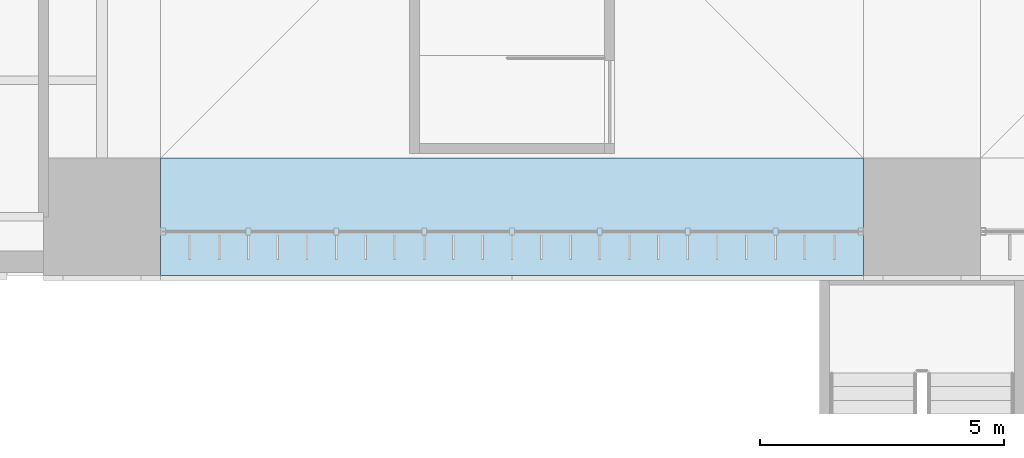
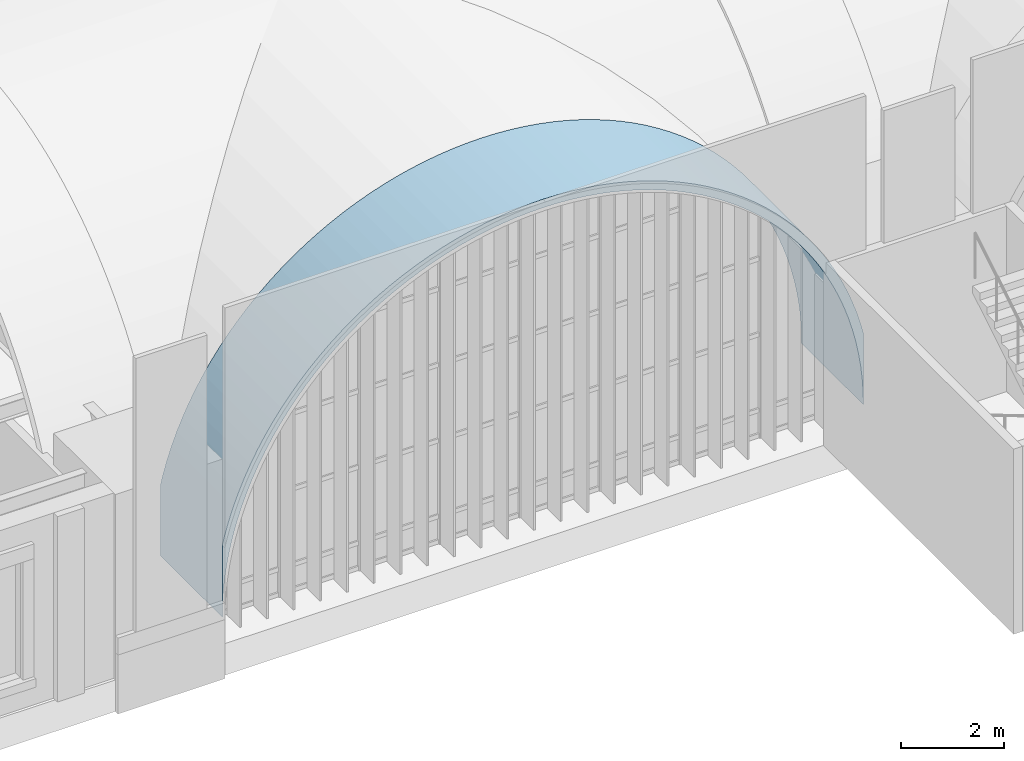
# One storey, part 111 of 169: 1 roof.
"""IFC4 building model written with IfcOpenShell, lengths in metres."""

from ifc_helpers import new_model, si_unit, direction, frame, origin, place, context, subcontext, project, spatial, polygons, material, layer, layer_set, type_object, element, save


model = new_model("IFC4")

# Units and contexts
model_context = context("Model", 3, precision=1e-05, world=origin(), true_north=direction((0.0, 1.0)))
body_context = subcontext(model_context, "Body", "Model", "MODEL_VIEW")
ifc_project = project(units=[si_unit("LENGTHUNIT", "METRE"), si_unit("AREAUNIT", "SQUARE_METRE"), si_unit("VOLUMEUNIT", "CUBIC_METRE"), si_unit("PLANEANGLEUNIT", "RADIAN"), si_unit("MASSUNIT", "GRAM", prefix="KILO")], contexts=[model_context])

# Site, building, storey
site_placement = place(None, origin())
site = spatial("IfcSite", under=ifc_project, at=site_placement, CompositionType="ELEMENT")
building_placement = place(site_placement, origin())
building = spatial("IfcBuilding", under=site, at=building_placement, Name="Verrick Yard Athletic Hall", CompositionType="ELEMENT")
storey_placement = place(building_placement, frame((0.0, 0.0, 4.39990234375)))
storey = spatial("IfcBuildingStorey", under=building, at=storey_placement, Name="L01", CompositionType="ELEMENT", Elevation=4.39990234375)

# Roof
ifc_material = material(Name="Concrete 35 MPa", Category="concrete")
ifc_layer = layer(ifc_material, 0.199951171875)
ifc_layer_set = layer_set([ifc_layer], Name="Arch rib 200")
roof_type = type_object("IfcRoofType", Name="Arch rib 200", PredefinedType="BARREL_ROOF", material=ifc_layer_set)
roof_placement = place(storey_placement, origin())
element("IfcRoof", 1, at=roof_placement, inside=storey, type_object=roof_type, Name="Vault rib S1", PredefinedType="BARREL_ROOF", context=body_context, shape_type="Tessellation", body=[
    polygons([(41.199951171875, 18.0, 2.352294921875), (41.199951171875, 18.0, 0.650146484375), (41.206787109375, 18.0, 0.964111328125), (41.227294921875, 18.0, 1.277587890625), (41.26171875, 18.0, 1.58984375), (41.309326171875, 18.0, 1.900390625), (41.37060546875, 18.0, 2.20849609375), (41.4453125, 18.0, 2.513671875), (41.533203125, 18.0, 2.815185546875), (41.63427734375, 18.0, 3.112548828125), (41.748046875, 18.0, 3.405517578125), (41.87451171875, 18.0, 3.693115234375), (42.013427734375, 18.0, 3.974609375), (42.16455078125, 18.0, 4.25), (42.32763671875, 18.0, 4.518798828125), (42.502197265625, 18.0, 4.77978515625), (42.68798828125, 18.0, 5.033203125), (42.884521484375, 18.0, 5.278076171875), (43.091552734375, 18.0, 5.514404296875), (43.308837890625, 18.0, 5.7412109375), (43.535888671875, 18.0, 5.95849609375), (43.77197265625, 18.0, 6.16552734375), (44.016845703125, 18.0, 6.3623046875), (44.270263671875, 18.0, 6.548095703125), (44.531494140625, 18.0, 6.722412109375), (44.800048828125, 18.0, 6.885498046875), (45.075439453125, 18.0, 7.03662109375), (45.357177734375, 18.0, 7.175537109375), (45.644775390625, 18.0, 7.302001953125), (45.9375, 18.0, 7.416015625), (46.23486328125, 18.0, 7.516845703125), (46.53662109375, 18.0, 7.604736328125), (46.841552734375, 18.0, 7.679443359375), (47.149658203125, 18.0, 7.74072265625), (47.460205078125, 18.0, 7.78857421875), (47.7724609375, 18.0, 7.82275390625), (48.0859375, 18.0, 7.84326171875), (48.39990234375, 18.0, 7.85009765625), (48.714111328125, 18.0, 7.84326171875), (49.027587890625, 18.0, 7.82275390625), (49.33984375, 18.0, 7.78857421875), (49.650390625, 18.0, 7.74072265625), (49.95849609375, 18.0, 7.679443359375), (50.263427734375, 18.0, 7.604736328125), (50.565185546875, 18.0, 7.516845703125), (50.862548828125, 18.0, 7.416015625), (51.1552734375, 18.0, 7.302001953125), (51.44287109375, 18.0, 7.175537109375), (51.724609375, 18.0, 7.03662109375), (52.0, 18.0, 6.885498046875), (52.2685546875, 18.0, 6.722412109375), (52.52978515625, 18.0, 6.548095703125), (52.783203125, 18.0, 6.3623046875), (53.028076171875, 18.0, 6.16552734375), (53.26416015625, 18.0, 5.95849609375), (53.4912109375, 18.0, 5.7412109375), (53.70849609375, 18.0, 5.514404296875), (53.91552734375, 18.0, 5.278076171875), (54.112060546875, 18.0, 5.033203125), (54.2978515625, 18.0, 4.77978515625), (54.472412109375, 18.0, 4.518798828125), (54.635498046875, 18.0, 4.25), (54.78662109375, 18.0, 3.974609375), (54.92529296875, 18.0, 3.693115234375), (55.052001953125, 18.0, 3.405517578125), (55.165771484375, 18.0, 3.112548828125), (55.266845703125, 18.0, 2.815185546875), (55.354736328125, 18.0, 2.513671875), (55.42919921875, 18.0, 2.20849609375), (55.490478515625, 18.0, 1.900390625), (55.538330078125, 18.0, 1.58984375), (55.572509765625, 18.0, 1.277587890625), (55.593017578125, 18.0, 0.964111328125), (55.60009765625, 18.0, 0.650146484375), (55.60009765625, 18.0, 2.352294921875), (55.5478515625, 18.0, 2.5654296875), (55.45751953125, 18.0, 2.875244140625), (55.353759765625, 18.0, 3.180908203125), (55.23681640625, 18.0, 3.48193359375), (55.106689453125, 18.0, 3.777587890625), (54.9638671875, 18.0, 4.06689453125), (54.80859375, 18.0, 4.35009765625), (54.64111328125, 18.0, 4.6259765625), (54.461669921875, 18.0, 4.89453125), (54.270751953125, 18.0, 5.15478515625), (54.068603515625, 18.0, 5.40673828125), (53.85595703125, 18.0, 5.6494140625), (53.632568359375, 18.0, 5.8828125), (53.3994140625, 18.0, 6.10595703125), (53.156494140625, 18.0, 6.31884765625), (52.90478515625, 18.0, 6.52099609375), (52.64453125, 18.0, 6.7119140625), (52.3759765625, 18.0, 6.89111328125), (52.10009765625, 18.0, 7.05859375), (51.81689453125, 18.0, 7.214111328125), (51.52734375, 18.0, 7.356689453125), (51.23193359375, 18.0, 7.48681640625), (50.930908203125, 18.0, 7.603759765625), (50.625244140625, 18.0, 7.70751953125), (50.315185546875, 18.0, 7.798095703125), (50.001708984375, 18.0, 7.874755859375), (49.68505859375, 18.0, 7.937744140625), (49.365966796875, 18.0, 7.98681640625), (49.044921875, 18.0, 8.02197265625), (48.722900390625, 18.0, 8.043212890625), (48.39990234375, 18.0, 8.050048828125), (48.0771484375, 18.0, 8.043212890625), (47.7548828125, 18.0, 8.02197265625), (47.43408203125, 18.0, 7.98681640625), (47.114990234375, 18.0, 7.937744140625), (46.79833984375, 18.0, 7.874755859375), (46.484619140625, 18.0, 7.798095703125), (46.1748046875, 18.0, 7.70751953125), (45.869140625, 18.0, 7.603759765625), (45.568115234375, 18.0, 7.48681640625), (45.272705078125, 18.0, 7.356689453125), (44.983154296875, 18.0, 7.214111328125), (44.699951171875, 18.0, 7.05859375), (44.424072265625, 18.0, 6.89111328125), (44.155517578125, 18.0, 6.7119140625), (43.895263671875, 18.0, 6.52099609375), (43.643310546875, 18.0, 6.31884765625), (43.400634765625, 18.0, 6.10595703125), (43.16748046875, 18.0, 5.8828125), (42.944091796875, 18.0, 5.6494140625), (42.731201171875, 18.0, 5.40673828125), (42.529296875, 18.0, 5.15478515625), (42.33837890625, 18.0, 4.89453125), (42.158935546875, 18.0, 4.6259765625), (41.991455078125, 18.0, 4.35009765625), (41.836181640625, 18.0, 4.06689453125), (41.693359375, 18.0, 3.777587890625), (41.563232421875, 18.0, 3.48193359375), (41.4462890625, 18.0, 3.180908203125), (41.342529296875, 18.0, 2.875244140625), (41.252197265625, 18.0, 2.5654296875), (41.199951171875, 20.39990234375, 2.352294921875), (41.199951171875, 20.39990234375, 0.650146484375), (41.206787109375, 20.39990234375, 0.964111328125), (41.227294921875, 20.39990234375, 1.277587890625), (41.26171875, 20.39990234375, 1.58984375), (41.309326171875, 20.39990234375, 1.900390625), (41.37060546875, 20.39990234375, 2.20849609375), (41.4453125, 20.39990234375, 2.513671875), (41.533203125, 20.39990234375, 2.815185546875), (41.63427734375, 20.39990234375, 3.112548828125), (41.748046875, 20.39990234375, 3.405517578125), (41.87451171875, 20.39990234375, 3.693115234375), (42.013427734375, 20.39990234375, 3.974609375), (42.16455078125, 20.39990234375, 4.25), (42.32763671875, 20.39990234375, 4.518798828125), (42.502197265625, 20.39990234375, 4.77978515625), (42.68798828125, 20.39990234375, 5.033203125), (42.884521484375, 20.39990234375, 5.278076171875), (43.091552734375, 20.39990234375, 5.514404296875), (43.308837890625, 20.39990234375, 5.7412109375), (43.535888671875, 20.39990234375, 5.95849609375), (43.77197265625, 20.39990234375, 6.16552734375), (44.016845703125, 20.39990234375, 6.3623046875), (44.270263671875, 20.39990234375, 6.548095703125), (44.531494140625, 20.39990234375, 6.722412109375), (44.800048828125, 20.39990234375, 6.885498046875), (45.075439453125, 20.39990234375, 7.03662109375), (45.357177734375, 20.39990234375, 7.175537109375), (45.644775390625, 20.39990234375, 7.302001953125), (45.9375, 20.39990234375, 7.416015625), (46.23486328125, 20.39990234375, 7.516845703125), (46.53662109375, 20.39990234375, 7.604736328125), (46.841552734375, 20.39990234375, 7.679443359375), (47.149658203125, 20.39990234375, 7.74072265625), (47.460205078125, 20.39990234375, 7.78857421875), (47.7724609375, 20.39990234375, 7.82275390625), (48.0859375, 20.39990234375, 7.84326171875), (48.39990234375, 20.39990234375, 7.85009765625), (48.714111328125, 20.39990234375, 7.84326171875), (49.027587890625, 20.39990234375, 7.82275390625), (49.33984375, 20.39990234375, 7.78857421875), (49.650390625, 20.39990234375, 7.74072265625), (49.95849609375, 20.39990234375, 7.679443359375), (50.263427734375, 20.39990234375, 7.604736328125), (50.565185546875, 20.39990234375, 7.516845703125), (50.862548828125, 20.39990234375, 7.416015625), (51.1552734375, 20.39990234375, 7.302001953125), (51.44287109375, 20.39990234375, 7.175537109375), (51.724609375, 20.39990234375, 7.03662109375), (52.0, 20.39990234375, 6.885498046875), (52.2685546875, 20.39990234375, 6.722412109375), (52.52978515625, 20.39990234375, 6.548095703125), (52.783203125, 20.39990234375, 6.3623046875), (53.028076171875, 20.39990234375, 6.16552734375), (53.26416015625, 20.39990234375, 5.95849609375), (53.4912109375, 20.39990234375, 5.7412109375), (53.70849609375, 20.39990234375, 5.514404296875), (53.91552734375, 20.39990234375, 5.278076171875), (54.112060546875, 20.39990234375, 5.033203125), (54.2978515625, 20.39990234375, 4.77978515625), (54.472412109375, 20.39990234375, 4.518798828125), (54.635498046875, 20.39990234375, 4.25), (54.78662109375, 20.39990234375, 3.974609375), (54.92529296875, 20.39990234375, 3.693115234375), (55.052001953125, 20.39990234375, 3.405517578125), (55.165771484375, 20.39990234375, 3.112548828125), (55.266845703125, 20.39990234375, 2.815185546875), (55.354736328125, 20.39990234375, 2.513671875), (55.42919921875, 20.39990234375, 2.20849609375), (55.490478515625, 20.39990234375, 1.900390625), (55.538330078125, 20.39990234375, 1.58984375), (55.572509765625, 20.39990234375, 1.277587890625), (55.593017578125, 20.39990234375, 0.964111328125), (55.60009765625, 20.39990234375, 0.650146484375), (55.60009765625, 20.39990234375, 2.352294921875), (55.5478515625, 20.39990234375, 2.5654296875), (55.45751953125, 20.39990234375, 2.875244140625), (55.353759765625, 20.39990234375, 3.180908203125), (55.23681640625, 20.39990234375, 3.48193359375), (55.106689453125, 20.39990234375, 3.777587890625), (54.9638671875, 20.39990234375, 4.06689453125), (54.80859375, 20.39990234375, 4.35009765625), (54.64111328125, 20.39990234375, 4.6259765625), (54.461669921875, 20.39990234375, 4.89453125), (54.270751953125, 20.39990234375, 5.15478515625), (54.068603515625, 20.39990234375, 5.40673828125), (53.85595703125, 20.39990234375, 5.6494140625), (53.632568359375, 20.39990234375, 5.8828125), (53.3994140625, 20.39990234375, 6.10595703125), (53.156494140625, 20.39990234375, 6.31884765625), (52.90478515625, 20.39990234375, 6.52099609375), (52.64453125, 20.39990234375, 6.7119140625), (52.3759765625, 20.39990234375, 6.89111328125), (52.10009765625, 20.39990234375, 7.05859375), (51.81689453125, 20.39990234375, 7.214111328125), (51.52734375, 20.39990234375, 7.356689453125), (51.23193359375, 20.39990234375, 7.48681640625), (50.930908203125, 20.39990234375, 7.603759765625), (50.625244140625, 20.39990234375, 7.70751953125), (50.315185546875, 20.39990234375, 7.798095703125), (50.001708984375, 20.39990234375, 7.874755859375), (49.68505859375, 20.39990234375, 7.937744140625), (49.365966796875, 20.39990234375, 7.98681640625), (49.044921875, 20.39990234375, 8.02197265625), (48.722900390625, 20.39990234375, 8.043212890625), (48.39990234375, 20.39990234375, 8.050048828125), (48.0771484375, 20.39990234375, 8.043212890625), (47.7548828125, 20.39990234375, 8.02197265625), (47.43408203125, 20.39990234375, 7.98681640625), (47.114990234375, 20.39990234375, 7.937744140625), (46.79833984375, 20.39990234375, 7.874755859375), (46.484619140625, 20.39990234375, 7.798095703125), (46.1748046875, 20.39990234375, 7.70751953125), (45.869140625, 20.39990234375, 7.603759765625), (45.568115234375, 20.39990234375, 7.48681640625), (45.272705078125, 20.39990234375, 7.356689453125), (44.983154296875, 20.39990234375, 7.214111328125), (44.699951171875, 20.39990234375, 7.05859375), (44.424072265625, 20.39990234375, 6.89111328125), (44.155517578125, 20.39990234375, 6.7119140625), (43.895263671875, 20.39990234375, 6.52099609375), (43.643310546875, 20.39990234375, 6.31884765625), (43.400634765625, 20.39990234375, 6.10595703125), (43.16748046875, 20.39990234375, 5.8828125), (42.944091796875, 20.39990234375, 5.6494140625), (42.731201171875, 20.39990234375, 5.40673828125), (42.529296875, 20.39990234375, 5.15478515625), (42.33837890625, 20.39990234375, 4.89453125), (42.158935546875, 20.39990234375, 4.6259765625), (41.991455078125, 20.39990234375, 4.35009765625), (41.836181640625, 20.39990234375, 4.06689453125), (41.693359375, 20.39990234375, 3.777587890625), (41.563232421875, 20.39990234375, 3.48193359375), (41.4462890625, 20.39990234375, 3.180908203125), (41.342529296875, 20.39990234375, 2.875244140625), (41.252197265625, 20.39990234375, 2.5654296875)], [[[1, 2, 3]], [[137, 139, 138]], [[136, 1, 3]], [[272, 139, 137]], [[136, 3, 4]], [[272, 140, 139]], [[136, 4, 5]], [[272, 141, 140]], [[136, 5, 6]], [[272, 142, 141]], [[136, 6, 7]], [[272, 143, 142]], [[136, 7, 8]], [[272, 144, 143]], [[136, 8, 9]], [[272, 145, 144]], [[136, 9, 10]], [[272, 146, 145]], [[136, 10, 11]], [[272, 147, 146]], [[136, 11, 12]], [[272, 148, 147]], [[136, 12, 13]], [[272, 149, 148]], [[73, 74, 75]], [[209, 211, 210]], [[72, 73, 75]], [[208, 211, 209]], [[71, 72, 75]], [[207, 211, 208]], [[70, 71, 75]], [[206, 211, 207]], [[69, 70, 75]], [[205, 211, 206]], [[68, 69, 75]], [[204, 211, 205]], [[67, 68, 75]], [[203, 211, 204]], [[66, 67, 75]], [[202, 211, 203]], [[65, 66, 75]], [[201, 211, 202]], [[64, 65, 75]], [[200, 211, 201]], [[63, 64, 75]], [[199, 211, 200]], [[63, 75, 76]], [[199, 212, 211]], [[63, 76, 77]], [[199, 213, 212]], [[62, 63, 77]], [[198, 213, 199]], [[62, 77, 78]], [[198, 214, 213]], [[61, 62, 78]], [[197, 214, 198]], [[61, 78, 79]], [[197, 215, 214]], [[60, 61, 79]], [[196, 215, 197]], [[60, 79, 80]], [[196, 216, 215]], [[59, 60, 80]], [[195, 216, 196]], [[59, 80, 81]], [[195, 217, 216]], [[58, 59, 81]], [[194, 217, 195]], [[58, 81, 82]], [[194, 218, 217]], [[57, 58, 82]], [[193, 218, 194]], [[57, 82, 83]], [[193, 219, 218]], [[56, 57, 83]], [[192, 219, 193]], [[56, 83, 84]], [[192, 220, 219]], [[55, 56, 84]], [[191, 220, 192]], [[55, 84, 85]], [[191, 221, 220]], [[54, 55, 85]], [[190, 221, 191]], [[54, 85, 86]], [[190, 222, 221]], [[53, 54, 86]], [[189, 222, 190]], [[53, 86, 87]], [[189, 223, 222]], [[52, 53, 87]], [[188, 223, 189]], [[52, 87, 88]], [[188, 224, 223]], [[51, 52, 88]], [[187, 224, 188]], [[51, 88, 89]], [[187, 225, 224]], [[50, 51, 89]], [[186, 225, 187]], [[50, 89, 90]], [[186, 226, 225]], [[49, 50, 90]], [[185, 226, 186]], [[49, 90, 91]], [[185, 227, 226]], [[48, 49, 91]], [[184, 227, 185]], [[48, 91, 92]], [[184, 228, 227]], [[47, 48, 92]], [[183, 228, 184]], [[47, 92, 93]], [[183, 229, 228]], [[46, 47, 93]], [[182, 229, 183]], [[46, 93, 94]], [[182, 230, 229]], [[45, 46, 94]], [[181, 230, 182]], [[45, 94, 95]], [[181, 231, 230]], [[44, 45, 95]], [[180, 231, 181]], [[44, 95, 96]], [[180, 232, 231]], [[43, 44, 96]], [[179, 232, 180]], [[43, 96, 97]], [[179, 233, 232]], [[42, 43, 97]], [[178, 233, 179]], [[42, 97, 98]], [[178, 234, 233]], [[41, 42, 98]], [[177, 234, 178]], [[41, 98, 99]], [[177, 235, 234]], [[40, 41, 99]], [[176, 235, 177]], [[40, 99, 100]], [[176, 236, 235]], [[39, 40, 100]], [[175, 236, 176]], [[39, 100, 101]], [[175, 237, 236]], [[38, 39, 101]], [[174, 237, 175]], [[38, 101, 102]], [[174, 238, 237]], [[37, 38, 102]], [[173, 238, 174]], [[37, 102, 103]], [[173, 239, 238]], [[36, 37, 103]], [[172, 239, 173]], [[36, 103, 104]], [[172, 240, 239]], [[35, 36, 104]], [[171, 240, 172]], [[35, 104, 105]], [[171, 241, 240]], [[34, 35, 105]], [[170, 241, 171]], [[34, 105, 106]], [[170, 242, 241]], [[33, 34, 106]], [[169, 242, 170]], [[33, 106, 107]], [[169, 243, 242]], [[32, 33, 107]], [[168, 243, 169]], [[32, 107, 108]], [[168, 244, 243]], [[31, 32, 108]], [[167, 244, 168]], [[31, 108, 109]], [[167, 245, 244]], [[30, 31, 109]], [[166, 245, 167]], [[30, 109, 110]], [[166, 246, 245]], [[29, 30, 110]], [[165, 246, 166]], [[29, 110, 111]], [[165, 247, 246]], [[28, 29, 111]], [[164, 247, 165]], [[28, 111, 112]], [[164, 248, 247]], [[27, 28, 112]], [[163, 248, 164]], [[27, 112, 113]], [[163, 249, 248]], [[26, 27, 113]], [[162, 249, 163]], [[26, 113, 114]], [[162, 250, 249]], [[25, 26, 114]], [[161, 250, 162]], [[25, 114, 115]], [[161, 251, 250]], [[24, 25, 115]], [[160, 251, 161]], [[24, 115, 116]], [[160, 252, 251]], [[23, 24, 116]], [[159, 252, 160]], [[23, 116, 117]], [[159, 253, 252]], [[22, 23, 117]], [[158, 253, 159]], [[22, 117, 118]], [[158, 254, 253]], [[21, 22, 118]], [[157, 254, 158]], [[21, 118, 119]], [[157, 255, 254]], [[20, 21, 119]], [[156, 255, 157]], [[20, 119, 120]], [[156, 256, 255]], [[19, 20, 120]], [[155, 256, 156]], [[19, 120, 121]], [[155, 257, 256]], [[18, 19, 121]], [[154, 257, 155]], [[18, 121, 122]], [[154, 258, 257]], [[17, 18, 122]], [[153, 258, 154]], [[17, 122, 123]], [[153, 259, 258]], [[16, 17, 123]], [[152, 259, 153]], [[16, 123, 124]], [[152, 260, 259]], [[15, 16, 124]], [[151, 260, 152]], [[15, 124, 125]], [[151, 261, 260]], [[14, 15, 125]], [[150, 261, 151]], [[14, 125, 126]], [[150, 262, 261]], [[13, 14, 126]], [[149, 262, 150]], [[136, 13, 126]], [[272, 262, 149]], [[136, 126, 127]], [[272, 263, 262]], [[136, 127, 128]], [[272, 264, 263]], [[136, 128, 129]], [[272, 265, 264]], [[136, 129, 130]], [[272, 266, 265]], [[136, 130, 131]], [[272, 267, 266]], [[136, 131, 132]], [[272, 268, 267]], [[136, 132, 133]], [[272, 269, 268]], [[136, 133, 134]], [[272, 270, 269]], [[134, 135, 136]], [[270, 272, 271]], [[1, 138, 2]], [[1, 137, 138]], [[2, 139, 3]], [[2, 138, 139]], [[3, 140, 4]], [[3, 139, 140]], [[4, 141, 5]], [[4, 140, 141]], [[5, 142, 6]], [[5, 141, 142]], [[6, 143, 7]], [[6, 142, 143]], [[7, 144, 8]], [[7, 143, 144]], [[8, 145, 9]], [[8, 144, 145]], [[9, 146, 10]], [[9, 145, 146]], [[10, 147, 11]], [[10, 146, 147]], [[11, 148, 12]], [[11, 147, 148]], [[12, 149, 13]], [[12, 148, 149]], [[13, 150, 14]], [[13, 149, 150]], [[14, 151, 15]], [[14, 150, 151]], [[15, 152, 16]], [[15, 151, 152]], [[16, 153, 17]], [[16, 152, 153]], [[17, 154, 18]], [[17, 153, 154]], [[18, 155, 19]], [[18, 154, 155]], [[19, 156, 20]], [[19, 155, 156]], [[20, 157, 21]], [[20, 156, 157]], [[21, 158, 22]], [[21, 157, 158]], [[22, 159, 23]], [[22, 158, 159]], [[23, 160, 24]], [[23, 159, 160]], [[24, 161, 25]], [[24, 160, 161]], [[25, 162, 26]], [[25, 161, 162]], [[26, 163, 27]], [[26, 162, 163]], [[27, 164, 28]], [[27, 163, 164]], [[28, 165, 29]], [[28, 164, 165]], [[29, 166, 30]], [[29, 165, 166]], [[30, 167, 31]], [[30, 166, 167]], [[31, 168, 32]], [[31, 167, 168]], [[32, 169, 33]], [[32, 168, 169]], [[33, 170, 34]], [[33, 169, 170]], [[34, 171, 35]], [[34, 170, 171]], [[35, 172, 36]], [[35, 171, 172]], [[36, 173, 37]], [[36, 172, 173]], [[37, 174, 38]], [[37, 173, 174]], [[38, 175, 39]], [[38, 174, 175]], [[39, 176, 40]], [[39, 175, 176]], [[40, 177, 41]], [[40, 176, 177]], [[41, 178, 42]], [[41, 177, 178]], [[42, 179, 43]], [[42, 178, 179]], [[43, 180, 44]], [[43, 179, 180]], [[44, 181, 45]], [[44, 180, 181]], [[45, 182, 46]], [[45, 181, 182]], [[46, 183, 47]], [[46, 182, 183]], [[47, 184, 48]], [[47, 183, 184]], [[48, 185, 49]], [[48, 184, 185]], [[49, 186, 50]], [[49, 185, 186]], [[50, 187, 51]], [[50, 186, 187]], [[51, 188, 52]], [[51, 187, 188]], [[52, 189, 53]], [[52, 188, 189]], [[53, 190, 54]], [[53, 189, 190]], [[54, 191, 55]], [[54, 190, 191]], [[55, 192, 56]], [[55, 191, 192]], [[56, 193, 57]], [[56, 192, 193]], [[57, 194, 58]], [[57, 193, 194]], [[58, 195, 59]], [[58, 194, 195]], [[59, 196, 60]], [[59, 195, 196]], [[60, 197, 61]], [[60, 196, 197]], [[61, 198, 62]], [[61, 197, 198]], [[62, 199, 63]], [[62, 198, 199]], [[63, 200, 64]], [[63, 199, 200]], [[64, 201, 65]], [[64, 200, 201]], [[65, 202, 66]], [[65, 201, 202]], [[66, 203, 67]], [[66, 202, 203]], [[67, 204, 68]], [[67, 203, 204]], [[68, 205, 69]], [[68, 204, 205]], [[69, 206, 70]], [[69, 205, 206]], [[70, 207, 71]], [[70, 206, 207]], [[71, 208, 72]], [[71, 207, 208]], [[72, 209, 73]], [[72, 208, 209]], [[73, 210, 74]], [[73, 209, 210]], [[74, 211, 75]], [[74, 210, 211]], [[75, 212, 76]], [[75, 211, 212]], [[76, 213, 77]], [[76, 212, 213]], [[77, 214, 78]], [[77, 213, 214]], [[78, 215, 79]], [[78, 214, 215]], [[79, 216, 80]], [[79, 215, 216]], [[80, 217, 81]], [[80, 216, 217]], [[81, 218, 82]], [[81, 217, 218]], [[82, 219, 83]], [[82, 218, 219]], [[83, 220, 84]], [[83, 219, 220]], [[84, 221, 85]], [[84, 220, 221]], [[85, 222, 86]], [[85, 221, 222]], [[86, 223, 87]], [[86, 222, 223]], [[87, 224, 88]], [[87, 223, 224]], [[88, 225, 89]], [[88, 224, 225]], [[89, 226, 90]], [[89, 225, 226]], [[90, 227, 91]], [[90, 226, 227]], [[91, 228, 92]], [[91, 227, 228]], [[92, 229, 93]], [[92, 228, 229]], [[93, 230, 94]], [[93, 229, 230]], [[94, 231, 95]], [[94, 230, 231]], [[95, 232, 96]], [[95, 231, 232]], [[96, 233, 97]], [[96, 232, 233]], [[97, 234, 98]], [[97, 233, 234]], [[98, 235, 99]], [[98, 234, 235]], [[99, 236, 100]], [[99, 235, 236]], [[100, 237, 101]], [[100, 236, 237]], [[101, 238, 102]], [[101, 237, 238]], [[102, 239, 103]], [[102, 238, 239]], [[103, 240, 104]], [[103, 239, 240]], [[104, 241, 105]], [[104, 240, 241]], [[105, 242, 106]], [[105, 241, 242]], [[106, 243, 107]], [[106, 242, 243]], [[107, 244, 108]], [[107, 243, 244]], [[108, 245, 109]], [[108, 244, 245]], [[109, 246, 110]], [[109, 245, 246]], [[110, 247, 111]], [[110, 246, 247]], [[111, 248, 112]], [[111, 247, 248]], [[112, 249, 113]], [[112, 248, 249]], [[113, 250, 114]], [[113, 249, 250]], [[114, 251, 115]], [[114, 250, 251]], [[115, 252, 116]], [[115, 251, 252]], [[116, 253, 117]], [[116, 252, 253]], [[117, 254, 118]], [[117, 253, 254]], [[118, 255, 119]], [[118, 254, 255]], [[119, 256, 120]], [[119, 255, 256]], [[120, 257, 121]], [[120, 256, 257]], [[121, 258, 122]], [[121, 257, 258]], [[122, 259, 123]], [[122, 258, 259]], [[123, 260, 124]], [[123, 259, 260]], [[124, 261, 125]], [[124, 260, 261]], [[125, 262, 126]], [[125, 261, 262]], [[126, 263, 127]], [[126, 262, 263]], [[127, 264, 128]], [[127, 263, 264]], [[128, 265, 129]], [[128, 264, 265]], [[129, 266, 130]], [[129, 265, 266]], [[130, 267, 131]], [[130, 266, 267]], [[131, 268, 132]], [[131, 267, 268]], [[132, 269, 133]], [[132, 268, 269]], [[133, 270, 134]], [[133, 269, 270]], [[134, 271, 135]], [[134, 270, 271]], [[135, 272, 136]], [[135, 271, 272]], [[136, 137, 1]], [[136, 272, 137]]], closed=True),
])

save(model, "model.ifc")
